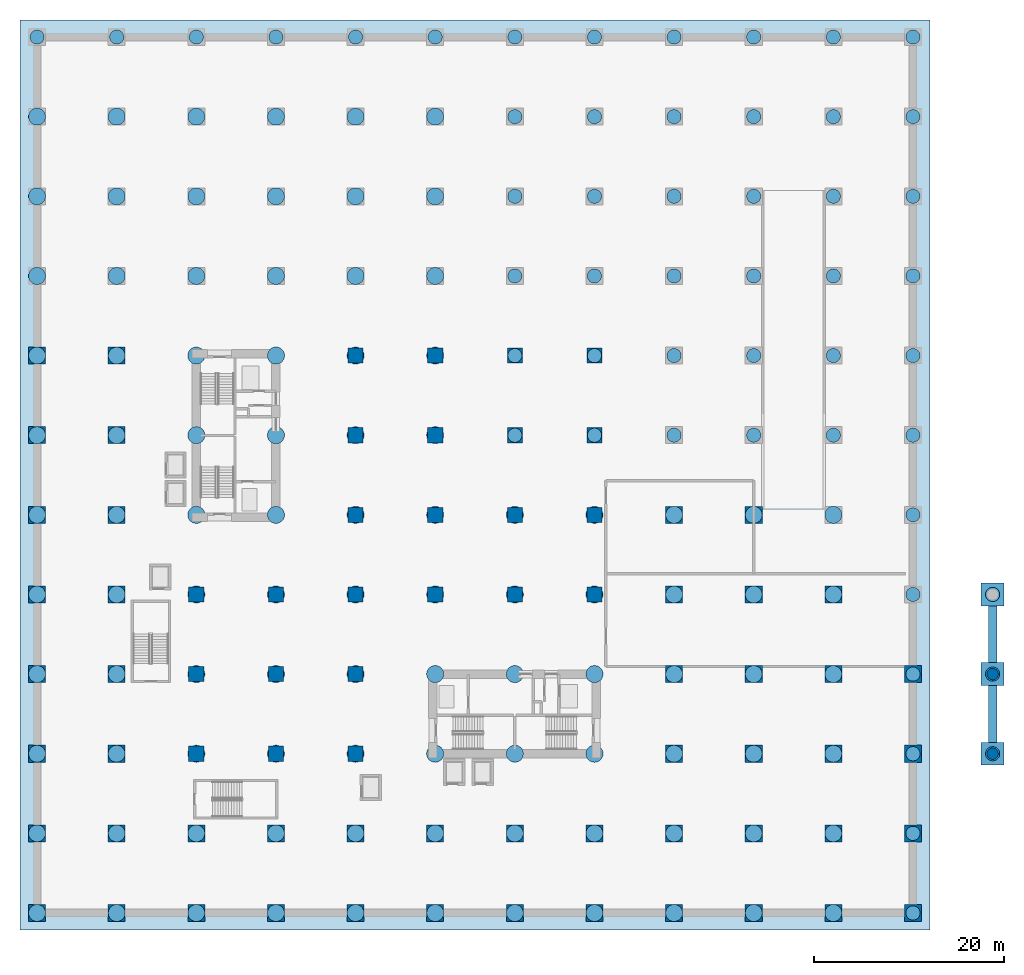
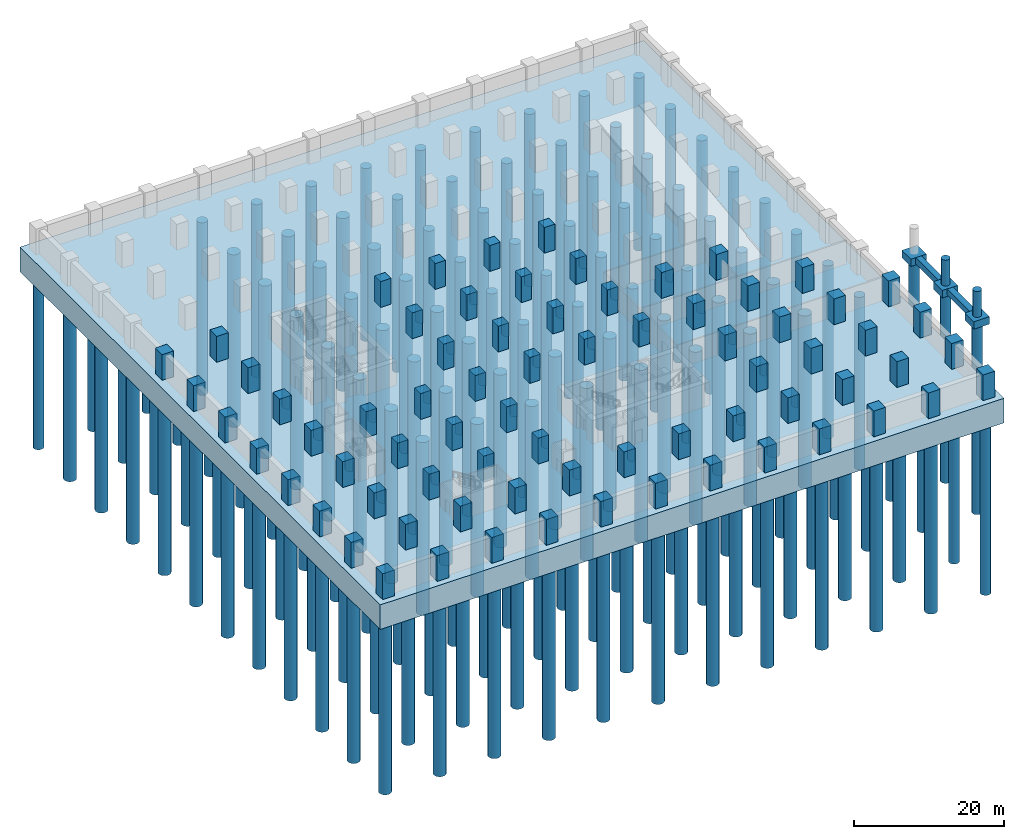
# One storey, part 1 of 12: 147 piles, 75 columns, 6 footings.
"""IFC4 building model written with IfcOpenShell, lengths in metres."""

from ifc_helpers import new_model, si_unit, direction, frame, origin, origin_2d, place, context, subcontext, project, spatial, polyline, rectangle, circle, outline, extrude, material, material_profile, profile_set, type_object, element, save


model = new_model("IFC4")

# Units and contexts
model_context = context("Model", 3, precision=1e-05, world=origin(), true_north=direction((0.0, 1.0)))
body_context = subcontext(model_context, "Body", "Model", "MODEL_VIEW")
ifc_project = project(units=[si_unit("LENGTHUNIT", "METRE"), si_unit("AREAUNIT", "SQUARE_METRE"), si_unit("VOLUMEUNIT", "CUBIC_METRE"), si_unit("PLANEANGLEUNIT", "RADIAN"), si_unit("MASSUNIT", "GRAM", prefix="KILO")], contexts=[model_context])

# Site, building, storey
site_placement = place(None, origin())
site = spatial("IfcSite", under=ifc_project, at=site_placement, CompositionType="ELEMENT")
building_placement = place(site_placement, origin())
building = spatial("IfcBuilding", under=site, at=building_placement, Name="Koriwani Terraces Tower", CompositionType="ELEMENT")
storey_placement = place(building_placement, frame((0.0, 0.0, -8.39990234375)))
storey = spatial("IfcBuildingStorey", under=building, at=storey_placement, Name="B02", CompositionType="ELEMENT", Elevation=-8.39990234375)

# Piles
ifc_material_1 = material(Name="Concrete C40/50", Category="concrete")
ifc_material_profile_1 = material_profile(ifc_material_1, circle(Radius=0.75, at=origin_2d()), Name="Concrete C40/50")
ifc_profile_set_1 = profile_set([ifc_material_profile_1], Name="Concrete C40/50")
pile_type_1 = type_object("IfcPileType", Name="BORED_PILE_D1500", PredefinedType="BORED", material=ifc_profile_set_1)
for number, where, z_axis, x_axis, name in (
    (1, (0.0, 92.39990234375, -3.900146484375), (0.0, 0.0, -1.0), (1.0, 0.0, 0.0), "Bored Pile P-012 (1/L)"),
    (2, (8.39990234375, 92.39990234375, -3.900146484375), (0.0, 0.0, -1.0), (1.0, 0.0, 0.0), "Bored Pile P-024 (2/L)"),
    (3, (16.800048828125, 92.39990234375, -3.900146484375), (0.0, 0.0, -1.0), (1.0, 0.0, 0.0), "Bored Pile P-036 (3/L)"),
    (4, (25.199951171875, 92.39990234375, -3.900146484375), (0.0, 0.0, -1.0), (1.0, 0.0, 0.0), "Bored Pile P-048 (4/L)"),
    (5, (33.60009765625, 92.39990234375, -3.900146484375), (0.0, 0.0, -1.0), (1.0, 0.0, 0.0), "Bored Pile P-060 (5/L)"),
    (6, (42.0, 92.39990234375, -3.900146484375), (0.0, 0.0, -1.0), (1.0, 0.0, 0.0), "Bored Pile P-072 (6/L)"),
    (7, (50.39990234375, 50.39990234375, -3.900146484375), (0.0, 0.0, -1.0), (1.0, 0.0, 0.0), "Bored Pile P-079 (7/G)"),
    (8, (50.39990234375, 58.800048828125, -3.900146484375), (0.0, 0.0, -1.0), (1.0, 0.0, 0.0), "Bored Pile P-080 (7/H)"),
    (9, (50.39990234375, 67.199951171875, -3.900146484375), (0.0, 0.0, -1.0), (1.0, 0.0, 0.0), "Bored Pile P-081 (7/I)"),
    (10, (50.39990234375, 75.60009765625, -3.900146484375), (0.0, 0.0, -1.0), (1.0, 0.0, 0.0), "Bored Pile P-082 (7/J)"),
    (11, (50.39990234375, 84.0, -3.900146484375), (0.0, 0.0, -1.0), (1.0, 0.0, 0.0), "Bored Pile P-083 (7/K)"),
    (12, (50.39990234375, 92.39990234375, -3.900146484375), (0.0, 0.0, -1.0), (1.0, 0.0, 0.0), "Bored Pile P-084 (7/L)"),
    (13, (58.800048828125, 50.39990234375, -3.900146484375), (0.0, 0.0, -1.0), (1.0, 0.0, 0.0), "Bored Pile P-091 (8/G)"),
    (14, (58.800048828125, 58.800048828125, -3.900146484375), (0.0, 0.0, -1.0), (1.0, 0.0, 0.0), "Bored Pile P-092 (8/H)"),
    (15, (58.800048828125, 67.199951171875, -3.900146484375), (0.0, 0.0, -1.0), (1.0, 0.0, 0.0), "Bored Pile P-093 (8/I)"),
    (16, (58.800048828125, 75.60009765625, -3.900146484375), (0.0, 0.0, -1.0), (1.0, 0.0, 0.0), "Bored Pile P-094 (8/J)"),
    (17, (58.800048828125, 84.0, -3.900146484375), (0.0, 0.0, -1.0), (1.0, 0.0, 0.0), "Bored Pile P-095 (8/K)"),
    (18, (58.800048828125, 92.39990234375, -3.900146484375), (0.0, 0.0, -1.0), (1.0, 0.0, 0.0), "Bored Pile P-096 (8/L)"),
    (19, (67.199951171875, 50.39990234375, -3.900146484375), (0.0, 0.0, -1.0), (1.0, 0.0, 0.0), "Bored Pile P-103 (9/G)"),
    (20, (67.199951171875, 58.800048828125, -3.900146484375), (0.0, 0.0, -1.0), (1.0, 0.0, 0.0), "Bored Pile P-104 (9/H)"),
    (21, (67.199951171875, 67.199951171875, -3.900146484375), (0.0, 0.0, -1.0), (1.0, 0.0, 0.0), "Bored Pile P-105 (9/I)"),
    (22, (67.199951171875, 75.60009765625, -3.900146484375), (0.0, 0.0, -1.0), (1.0, 0.0, 0.0), "Bored Pile P-106 (9/J)"),
    (23, (67.199951171875, 84.0, -3.900146484375), (0.0, 0.0, -1.0), (1.0, 0.0, 0.0), "Bored Pile P-107 (9/K)"),
    (24, (67.199951171875, 92.39990234375, -3.900146484375), (0.0, 0.0, -1.0), (1.0, 0.0, 0.0), "Bored Pile P-108 (9/L)"),
    (25, (75.60009765625, 50.39990234375, -3.900146484375), (0.0, 0.0, -1.0), (1.0, 0.0, 0.0), "Bored Pile P-115 (10/G)"),
    (26, (75.60009765625, 58.800048828125, -3.900146484375), (0.0, 0.0, -1.0), (1.0, 0.0, 0.0), "Bored Pile P-116 (10/H)"),
    (27, (75.60009765625, 67.199951171875, -3.900146484375), (0.0, 0.0, -1.0), (1.0, 0.0, 0.0), "Bored Pile P-117 (10/I)"),
    (28, (75.60009765625, 75.60009765625, -3.900146484375), (0.0, 0.0, -1.0), (1.0, 0.0, 0.0), "Bored Pile P-118 (10/J)"),
    (29, (75.60009765625, 84.0, -3.900146484375), (0.0, 0.0, -1.0), (1.0, 0.0, 0.0), "Bored Pile P-119 (10/K)"),
    (30, (75.60009765625, 92.39990234375, -3.900146484375), (0.0, 0.0, -1.0), (1.0, 0.0, 0.0), "Bored Pile P-120 (10/L)"),
    (31, (84.0, 50.39990234375, -3.900146484375), (0.0, 0.0, -1.0), (1.0, 0.0, 0.0), "Bored Pile P-127 (11/G)"),
    (32, (84.0, 58.800048828125, -3.900146484375), (0.0, 0.0, -1.0), (1.0, 0.0, 0.0), "Bored Pile P-128 (11/H)"),
    (33, (84.0, 67.199951171875, -3.900146484375), (0.0, 0.0, -1.0), (1.0, 0.0, 0.0), "Bored Pile P-129 (11/I)"),
    (34, (84.0, 75.60009765625, -3.900146484375), (0.0, 0.0, -1.0), (1.0, 0.0, 0.0), "Bored Pile P-130 (11/J)"),
    (35, (84.0, 84.0, -3.900146484375), (0.0, 0.0, -1.0), (1.0, 0.0, 0.0), "Bored Pile P-131 (11/K)"),
    (36, (84.0, 92.39990234375, -3.900146484375), (0.0, 0.0, -1.0), (1.0, 0.0, 0.0), "Bored Pile P-132 (11/L)"),
    (37, (92.39990234375, 0.0, -3.900146484375), (0.0, 0.0, -1.0), (1.0, 0.0, 0.0), "Bored Pile P-133 (12/A)"),
    (38, (92.39990234375, 8.39990234375, -3.900146484375), (0.0, 0.0, -1.0), (1.0, 0.0, 0.0), "Bored Pile P-134 (12/B)"),
    (39, (92.39990234375, 16.800048828125, -3.900146484375), (0.0, 0.0, -1.0), (1.0, 0.0, 0.0), "Bored Pile P-135 (12/C)"),
    (40, (92.39990234375, 25.199951171875, -3.900146484375), (0.0, 0.0, -1.0), (1.0, 0.0, 0.0), "Bored Pile P-136 (12/D)"),
    (41, (92.39990234375, 33.60009765625, -3.900146484375), (0.0, 0.0, -1.0), (1.0, 0.0, 0.0), "Bored Pile P-137 (12/E)"),
    (42, (92.39990234375, 42.0, -3.900146484375), (0.0, 0.0, -1.0), (1.0, 0.0, 0.0), "Bored Pile P-138 (12/F)"),
    (43, (92.39990234375, 50.39990234375, -3.900146484375), (0.0, 0.0, -1.0), (1.0, 0.0, 0.0), "Bored Pile P-139 (12/G)"),
    (44, (92.39990234375, 58.800048828125, -3.900146484375), (0.0, 0.0, -1.0), (1.0, 0.0, 0.0), "Bored Pile P-140 (12/H)"),
    (45, (92.39990234375, 67.199951171875, -3.900146484375), (0.0, 0.0, -1.0), (1.0, 0.0, 0.0), "Bored Pile P-141 (12/I)"),
    (46, (92.39990234375, 75.60009765625, -3.900146484375), (0.0, 0.0, -1.0), (1.0, 0.0, 0.0), "Bored Pile P-142 (12/J)"),
    (47, (92.39990234375, 84.0, -3.900146484375), (0.0, 0.0, -1.0), (1.0, 0.0, 0.0), "Bored Pile P-143 (12/K)"),
    (48, (92.39990234375, 92.39990234375, -3.900146484375), (0.0, 0.0, -1.0), (1.0, 0.0, 0.0), "Bored Pile P-144 (12/L)"),
):
    element("IfcPile", number, at=place(storey_placement, frame(where, z_axis=z_axis, x_axis=x_axis)), inside=storey, type_object=pile_type_1, Name=name, PredefinedType="BORED", context=body_context, shape_type="SweptSolid", body=[
        extrude(circle(Radius=0.75, at=origin_2d()), origin(), (0.0, 0.0, 1.0), 28.10009765625),
    ])
for number, where, z_axis, x_axis, name in (
    (49, (100.800048828125, 16.800048828125, -1.10009765625), (0.0, 0.0, -1.0), (1.0, 0.0, 0.0), "Porte-Cochere Bored Pile P-PC01"),
    (50, (100.800048828125, 25.199951171875, -1.10009765625), (0.0, 0.0, -1.0), (1.0, 0.0, 0.0), "Porte-Cochere Bored Pile P-PC02"),
    (51, (100.800048828125, 33.60009765625, -1.10009765625), (0.0, 0.0, -1.0), (1.0, 0.0, 0.0), "Porte-Cochere Bored Pile P-PC03"),
):
    element("IfcPile", number, at=place(storey_placement, frame(where, z_axis=z_axis, x_axis=x_axis)), inside=storey, type_object=pile_type_1, Name=name, PredefinedType="BORED", context=body_context, shape_type="SweptSolid", body=[
        extrude(circle(Radius=0.75, at=origin_2d()), origin(), (0.0, 0.0, 1.0), 30.89990234375),
    ])
ifc_material_profile_2 = material_profile(ifc_material_1, circle(Radius=0.89990234375, at=origin_2d()), Name="Concrete C40/50")
ifc_profile_set_2 = profile_set([ifc_material_profile_2], Name="Concrete C40/50")
pile_type_2 = type_object("IfcPileType", Name="BORED_PILE_D1800", PredefinedType="BORED", material=ifc_profile_set_2)
for number, where, z_axis, x_axis, name in (
    (52, (0.0, 0.0, -3.900146484375), (0.0, 0.0, -1.0), (1.0, 0.0, 0.0), "Bored Pile P-001 (1/A)"),
    (53, (0.0, 8.39990234375, -3.900146484375), (0.0, 0.0, -1.0), (1.0, 0.0, 0.0), "Bored Pile P-002 (1/B)"),
    (54, (0.0, 16.800048828125, -3.900146484375), (0.0, 0.0, -1.0), (1.0, 0.0, 0.0), "Bored Pile P-003 (1/C)"),
    (55, (0.0, 25.199951171875, -3.900146484375), (0.0, 0.0, -1.0), (1.0, 0.0, 0.0), "Bored Pile P-004 (1/D)"),
    (56, (0.0, 33.60009765625, -3.900146484375), (0.0, 0.0, -1.0), (1.0, 0.0, 0.0), "Bored Pile P-005 (1/E)"),
    (57, (0.0, 42.0, -3.900146484375), (0.0, 0.0, -1.0), (1.0, 0.0, 0.0), "Bored Pile P-006 (1/F)"),
    (58, (0.0, 50.39990234375, -3.900146484375), (0.0, 0.0, -1.0), (1.0, 0.0, 0.0), "Bored Pile P-007 (1/G)"),
    (59, (0.0, 58.800048828125, -3.900146484375), (0.0, 0.0, -1.0), (1.0, 0.0, 0.0), "Bored Pile P-008 (1/H)"),
    (60, (0.0, 67.199951171875, -3.900146484375), (0.0, 0.0, -1.0), (1.0, 0.0, 0.0), "Bored Pile P-009 (1/I)"),
    (61, (0.0, 75.60009765625, -3.900146484375), (0.0, 0.0, -1.0), (1.0, 0.0, 0.0), "Bored Pile P-010 (1/J)"),
    (62, (0.0, 84.0, -3.900146484375), (0.0, 0.0, -1.0), (1.0, 0.0, 0.0), "Bored Pile P-011 (1/K)"),
    (63, (8.39990234375, 0.0, -3.900146484375), (0.0, 0.0, -1.0), (1.0, 0.0, 0.0), "Bored Pile P-013 (2/A)"),
    (64, (8.39990234375, 8.39990234375, -3.900146484375), (0.0, 0.0, -1.0), (1.0, 0.0, 0.0), "Bored Pile P-014 (2/B)"),
    (65, (8.39990234375, 16.800048828125, -3.900146484375), (0.0, 0.0, -1.0), (1.0, 0.0, 0.0), "Bored Pile P-015 (2/C)"),
    (66, (8.39990234375, 25.199951171875, -3.900146484375), (0.0, 0.0, -1.0), (1.0, 0.0, 0.0), "Bored Pile P-016 (2/D)"),
    (67, (8.39990234375, 33.60009765625, -3.900146484375), (0.0, 0.0, -1.0), (1.0, 0.0, 0.0), "Bored Pile P-017 (2/E)"),
    (68, (8.39990234375, 42.0, -3.900146484375), (0.0, 0.0, -1.0), (1.0, 0.0, 0.0), "Bored Pile P-018 (2/F)"),
    (69, (8.39990234375, 50.39990234375, -3.900146484375), (0.0, 0.0, -1.0), (1.0, 0.0, 0.0), "Bored Pile P-019 (2/G)"),
    (70, (8.39990234375, 58.800048828125, -3.900146484375), (0.0, 0.0, -1.0), (1.0, 0.0, 0.0), "Bored Pile P-020 (2/H)"),
    (71, (8.39990234375, 67.199951171875, -3.900146484375), (0.0, 0.0, -1.0), (1.0, 0.0, 0.0), "Bored Pile P-021 (2/I)"),
    (72, (8.39990234375, 75.60009765625, -3.900146484375), (0.0, 0.0, -1.0), (1.0, 0.0, 0.0), "Bored Pile P-022 (2/J)"),
    (73, (8.39990234375, 84.0, -3.900146484375), (0.0, 0.0, -1.0), (1.0, 0.0, 0.0), "Bored Pile P-023 (2/K)"),
    (74, (16.800048828125, 0.0, -3.900146484375), (0.0, 0.0, -1.0), (1.0, 0.0, 0.0), "Bored Pile P-025 (3/A)"),
    (75, (16.800048828125, 8.39990234375, -3.900146484375), (0.0, 0.0, -1.0), (1.0, 0.0, 0.0), "Bored Pile P-026 (3/B)"),
    (76, (16.800048828125, 16.800048828125, -3.900146484375), (0.0, 0.0, -1.0), (1.0, 0.0, 0.0), "Bored Pile P-027 (3/C)"),
    (77, (16.800048828125, 25.199951171875, -3.900146484375), (0.0, 0.0, -1.0), (1.0, 0.0, 0.0), "Bored Pile P-028 (3/D)"),
    (78, (16.800048828125, 33.60009765625, -3.900146484375), (0.0, 0.0, -1.0), (1.0, 0.0, 0.0), "Bored Pile P-029 (3/E)"),
    (79, (16.800048828125, 42.0, -3.900146484375), (0.0, 0.0, -1.0), (1.0, 0.0, 0.0), "Bored Pile P-030 (3/F)"),
    (80, (16.800048828125, 50.39990234375, -3.900146484375), (0.0, 0.0, -1.0), (1.0, 0.0, 0.0), "Bored Pile P-031 (3/G)"),
    (81, (16.800048828125, 58.800048828125, -3.900146484375), (0.0, 0.0, -1.0), (1.0, 0.0, 0.0), "Bored Pile P-032 (3/H)"),
    (82, (16.800048828125, 67.199951171875, -3.900146484375), (0.0, 0.0, -1.0), (1.0, 0.0, 0.0), "Bored Pile P-033 (3/I)"),
    (83, (16.800048828125, 75.60009765625, -3.900146484375), (0.0, 0.0, -1.0), (1.0, 0.0, 0.0), "Bored Pile P-034 (3/J)"),
    (84, (16.800048828125, 84.0, -3.900146484375), (0.0, 0.0, -1.0), (1.0, 0.0, 0.0), "Bored Pile P-035 (3/K)"),
    (85, (25.199951171875, 0.0, -3.900146484375), (0.0, 0.0, -1.0), (1.0, 0.0, 0.0), "Bored Pile P-037 (4/A)"),
    (86, (25.199951171875, 8.39990234375, -3.900146484375), (0.0, 0.0, -1.0), (1.0, 0.0, 0.0), "Bored Pile P-038 (4/B)"),
    (87, (25.199951171875, 16.800048828125, -3.900146484375), (0.0, 0.0, -1.0), (1.0, 0.0, 0.0), "Bored Pile P-039 (4/C)"),
    (88, (25.199951171875, 25.199951171875, -3.900146484375), (0.0, 0.0, -1.0), (1.0, 0.0, 0.0), "Bored Pile P-040 (4/D)"),
    (89, (25.199951171875, 33.60009765625, -3.900146484375), (0.0, 0.0, -1.0), (1.0, 0.0, 0.0), "Bored Pile P-041 (4/E)"),
    (90, (25.199951171875, 42.0, -3.900146484375), (0.0, 0.0, -1.0), (1.0, 0.0, 0.0), "Bored Pile P-042 (4/F)"),
    (91, (25.199951171875, 50.39990234375, -3.900146484375), (0.0, 0.0, -1.0), (1.0, 0.0, 0.0), "Bored Pile P-043 (4/G)"),
    (92, (25.199951171875, 58.800048828125, -3.900146484375), (0.0, 0.0, -1.0), (1.0, 0.0, 0.0), "Bored Pile P-044 (4/H)"),
    (93, (25.199951171875, 67.199951171875, -3.900146484375), (0.0, 0.0, -1.0), (1.0, 0.0, 0.0), "Bored Pile P-045 (4/I)"),
    (94, (25.199951171875, 75.60009765625, -3.900146484375), (0.0, 0.0, -1.0), (1.0, 0.0, 0.0), "Bored Pile P-046 (4/J)"),
    (95, (25.199951171875, 84.0, -3.900146484375), (0.0, 0.0, -1.0), (1.0, 0.0, 0.0), "Bored Pile P-047 (4/K)"),
    (96, (33.60009765625, 0.0, -3.900146484375), (0.0, 0.0, -1.0), (1.0, 0.0, 0.0), "Bored Pile P-049 (5/A)"),
    (97, (33.60009765625, 8.39990234375, -3.900146484375), (0.0, 0.0, -1.0), (1.0, 0.0, 0.0), "Bored Pile P-050 (5/B)"),
    (98, (33.60009765625, 16.800048828125, -3.900146484375), (0.0, 0.0, -1.0), (1.0, 0.0, 0.0), "Bored Pile P-051 (5/C)"),
    (99, (33.60009765625, 25.199951171875, -3.900146484375), (0.0, 0.0, -1.0), (1.0, 0.0, 0.0), "Bored Pile P-052 (5/D)"),
    (100, (33.60009765625, 33.60009765625, -3.900146484375), (0.0, 0.0, -1.0), (1.0, 0.0, 0.0), "Bored Pile P-053 (5/E)"),
    (101, (33.60009765625, 42.0, -3.900146484375), (0.0, 0.0, -1.0), (1.0, 0.0, 0.0), "Bored Pile P-054 (5/F)"),
    (102, (33.60009765625, 50.39990234375, -3.900146484375), (0.0, 0.0, -1.0), (1.0, 0.0, 0.0), "Bored Pile P-055 (5/G)"),
    (103, (33.60009765625, 58.800048828125, -3.900146484375), (0.0, 0.0, -1.0), (1.0, 0.0, 0.0), "Bored Pile P-056 (5/H)"),
    (104, (33.60009765625, 67.199951171875, -3.900146484375), (0.0, 0.0, -1.0), (1.0, 0.0, 0.0), "Bored Pile P-057 (5/I)"),
    (105, (33.60009765625, 75.60009765625, -3.900146484375), (0.0, 0.0, -1.0), (1.0, 0.0, 0.0), "Bored Pile P-058 (5/J)"),
    (106, (33.60009765625, 84.0, -3.900146484375), (0.0, 0.0, -1.0), (1.0, 0.0, 0.0), "Bored Pile P-059 (5/K)"),
    (107, (42.0, 0.0, -3.900146484375), (0.0, 0.0, -1.0), (1.0, 0.0, 0.0), "Bored Pile P-061 (6/A)"),
    (108, (42.0, 8.39990234375, -3.900146484375), (0.0, 0.0, -1.0), (1.0, 0.0, 0.0), "Bored Pile P-062 (6/B)"),
    (109, (42.0, 16.800048828125, -3.900146484375), (0.0, 0.0, -1.0), (1.0, 0.0, 0.0), "Bored Pile P-063 (6/C)"),
    (110, (42.0, 25.199951171875, -3.900146484375), (0.0, 0.0, -1.0), (1.0, 0.0, 0.0), "Bored Pile P-064 (6/D)"),
    (111, (42.0, 33.60009765625, -3.900146484375), (0.0, 0.0, -1.0), (1.0, 0.0, 0.0), "Bored Pile P-065 (6/E)"),
    (112, (42.0, 42.0, -3.900146484375), (0.0, 0.0, -1.0), (1.0, 0.0, 0.0), "Bored Pile P-066 (6/F)"),
    (113, (42.0, 50.39990234375, -3.900146484375), (0.0, 0.0, -1.0), (1.0, 0.0, 0.0), "Bored Pile P-067 (6/G)"),
    (114, (42.0, 58.800048828125, -3.900146484375), (0.0, 0.0, -1.0), (1.0, 0.0, 0.0), "Bored Pile P-068 (6/H)"),
    (115, (42.0, 67.199951171875, -3.900146484375), (0.0, 0.0, -1.0), (1.0, 0.0, 0.0), "Bored Pile P-069 (6/I)"),
    (116, (42.0, 75.60009765625, -3.900146484375), (0.0, 0.0, -1.0), (1.0, 0.0, 0.0), "Bored Pile P-070 (6/J)"),
    (117, (42.0, 84.0, -3.900146484375), (0.0, 0.0, -1.0), (1.0, 0.0, 0.0), "Bored Pile P-071 (6/K)"),
    (118, (50.39990234375, 0.0, -3.900146484375), (0.0, 0.0, -1.0), (1.0, 0.0, 0.0), "Bored Pile P-073 (7/A)"),
    (119, (50.39990234375, 8.39990234375, -3.900146484375), (0.0, 0.0, -1.0), (1.0, 0.0, 0.0), "Bored Pile P-074 (7/B)"),
    (120, (50.39990234375, 16.800048828125, -3.900146484375), (0.0, 0.0, -1.0), (1.0, 0.0, 0.0), "Bored Pile P-075 (7/C)"),
    (121, (50.39990234375, 25.199951171875, -3.900146484375), (0.0, 0.0, -1.0), (1.0, 0.0, 0.0), "Bored Pile P-076 (7/D)"),
    (122, (50.39990234375, 33.60009765625, -3.900146484375), (0.0, 0.0, -1.0), (1.0, 0.0, 0.0), "Bored Pile P-077 (7/E)"),
    (123, (50.39990234375, 42.0, -3.900146484375), (0.0, 0.0, -1.0), (1.0, 0.0, 0.0), "Bored Pile P-078 (7/F)"),
    (124, (58.800048828125, 0.0, -3.900146484375), (0.0, 0.0, -1.0), (1.0, 0.0, 0.0), "Bored Pile P-085 (8/A)"),
    (125, (58.800048828125, 8.39990234375, -3.900146484375), (0.0, 0.0, -1.0), (1.0, 0.0, 0.0), "Bored Pile P-086 (8/B)"),
    (126, (58.800048828125, 16.800048828125, -3.900146484375), (0.0, 0.0, -1.0), (1.0, 0.0, 0.0), "Bored Pile P-087 (8/C)"),
    (127, (58.800048828125, 25.199951171875, -3.900146484375), (0.0, 0.0, -1.0), (1.0, 0.0, 0.0), "Bored Pile P-088 (8/D)"),
    (128, (58.800048828125, 33.60009765625, -3.900146484375), (0.0, 0.0, -1.0), (1.0, 0.0, 0.0), "Bored Pile P-089 (8/E)"),
    (129, (58.800048828125, 42.0, -3.900146484375), (0.0, 0.0, -1.0), (1.0, 0.0, 0.0), "Bored Pile P-090 (8/F)"),
    (130, (67.199951171875, 0.0, -3.900146484375), (0.0, 0.0, -1.0), (1.0, 0.0, 0.0), "Bored Pile P-097 (9/A)"),
    (131, (67.199951171875, 8.39990234375, -3.900146484375), (0.0, 0.0, -1.0), (1.0, 0.0, 0.0), "Bored Pile P-098 (9/B)"),
    (132, (67.199951171875, 16.800048828125, -3.900146484375), (0.0, 0.0, -1.0), (1.0, 0.0, 0.0), "Bored Pile P-099 (9/C)"),
    (133, (67.199951171875, 25.199951171875, -3.900146484375), (0.0, 0.0, -1.0), (1.0, 0.0, 0.0), "Bored Pile P-100 (9/D)"),
    (134, (67.199951171875, 33.60009765625, -3.900146484375), (0.0, 0.0, -1.0), (1.0, 0.0, 0.0), "Bored Pile P-101 (9/E)"),
    (135, (67.199951171875, 42.0, -3.900146484375), (0.0, 0.0, -1.0), (1.0, 0.0, 0.0), "Bored Pile P-102 (9/F)"),
    (136, (75.60009765625, 0.0, -3.900146484375), (0.0, 0.0, -1.0), (1.0, 0.0, 0.0), "Bored Pile P-109 (10/A)"),
    (137, (75.60009765625, 8.39990234375, -3.900146484375), (0.0, 0.0, -1.0), (1.0, 0.0, 0.0), "Bored Pile P-110 (10/B)"),
    (138, (75.60009765625, 16.800048828125, -3.900146484375), (0.0, 0.0, -1.0), (1.0, 0.0, 0.0), "Bored Pile P-111 (10/C)"),
    (139, (75.60009765625, 25.199951171875, -3.900146484375), (0.0, 0.0, -1.0), (1.0, 0.0, 0.0), "Bored Pile P-112 (10/D)"),
    (140, (75.60009765625, 33.60009765625, -3.900146484375), (0.0, 0.0, -1.0), (1.0, 0.0, 0.0), "Bored Pile P-113 (10/E)"),
    (141, (75.60009765625, 42.0, -3.900146484375), (0.0, 0.0, -1.0), (1.0, 0.0, 0.0), "Bored Pile P-114 (10/F)"),
    (142, (84.0, 0.0, -3.900146484375), (0.0, 0.0, -1.0), (1.0, 0.0, 0.0), "Bored Pile P-121 (11/A)"),
    (143, (84.0, 8.39990234375, -3.900146484375), (0.0, 0.0, -1.0), (1.0, 0.0, 0.0), "Bored Pile P-122 (11/B)"),
    (144, (84.0, 16.800048828125, -3.900146484375), (0.0, 0.0, -1.0), (1.0, 0.0, 0.0), "Bored Pile P-123 (11/C)"),
    (145, (84.0, 25.199951171875, -3.900146484375), (0.0, 0.0, -1.0), (1.0, 0.0, 0.0), "Bored Pile P-124 (11/D)"),
    (146, (84.0, 33.60009765625, -3.900146484375), (0.0, 0.0, -1.0), (1.0, 0.0, 0.0), "Bored Pile P-125 (11/E)"),
    (147, (84.0, 42.0, -3.900146484375), (0.0, 0.0, -1.0), (1.0, 0.0, 0.0), "Bored Pile P-126 (11/F)"),
):
    element("IfcPile", number, at=place(storey_placement, frame(where, z_axis=z_axis, x_axis=x_axis)), inside=storey, type_object=pile_type_2, Name=name, PredefinedType="BORED", context=body_context, shape_type="SweptSolid", body=[
        extrude(circle(Radius=0.89990234375, at=origin_2d()), origin(), (0.0, 0.0, 1.0), 28.10009765625),
    ])

# Footings
ifc_material_profile_3 = material_profile(ifc_material_1, rectangle(XDim=0.89990234375, YDim=1.0, at=origin_2d()), Name="Concrete C40/50")
ifc_profile_set_3 = profile_set([ifc_material_profile_3], Name="Concrete C40/50")
footing_type_1 = type_object("IfcFootingType", Name="GRADE_STRIP_FOOTING_900", PredefinedType="STRIP_FOOTING", material=ifc_profile_set_3)
for number, where, z_axis, x_axis, name in (
    (148, (100.800048828125, 18.0, -0.5), (0.0, 1.0, 0.0), (-1.0, 0.0, 0.0), "Porte-Cochere Tie Strip Footing GF-01"),
    (149, (100.800048828125, 26.39990234375, -0.5), (0.0, 1.0, 0.0), (-1.0, 0.0, 0.0), "Porte-Cochere Tie Strip Footing GF-02"),
):
    element("IfcFooting", number, at=place(storey_placement, frame(where, z_axis=z_axis, x_axis=x_axis)), inside=storey, type_object=footing_type_1, Name=name, PredefinedType="STRIP_FOOTING", context=body_context, shape_type="SweptSolid", body=[
        extrude(rectangle(XDim=0.89990234375, YDim=1.0, at=origin_2d()), origin(), (0.0, 0.0, 1.0), 6.0),
    ])
footing_type_2 = type_object("IfcFootingType", Name="PAD_FOOTING_PLAZA_2400", PredefinedType="PAD_FOOTING", material=ifc_material_1)
footing_1_placement = place(storey_placement, frame((0.0, 0.0, -1.2001953125)))
element("IfcFooting", 150, at=footing_1_placement, inside=storey, type_object=footing_type_2, Name="Porte-Cochere Pad Footing PF-01", PredefinedType="PAD_FOOTING", context=body_context, shape_type="SweptSolid", body=[
    extrude(outline(polyline([(99.60009765625, 15.60009765625), (102.0, 15.60009765625), (102.0, 18.0), (99.60009765625, 18.0), (99.60009765625, 15.60009765625)])), origin(), (0.0, 0.0, 1.0), 1.2001953125),
])
footing_2_placement = place(storey_placement, frame((0.0, 0.0, -1.2001953125)))
element("IfcFooting", 151, at=footing_2_placement, inside=storey, type_object=footing_type_2, Name="Porte-Cochere Pad Footing PF-02", PredefinedType="PAD_FOOTING", context=body_context, shape_type="SweptSolid", body=[
    extrude(outline(polyline([(99.60009765625, 24.0), (102.0, 24.0), (102.0, 26.39990234375), (99.60009765625, 26.39990234375), (99.60009765625, 24.0)])), origin(), (0.0, 0.0, 1.0), 1.2001953125),
])
footing_3_placement = place(storey_placement, frame((0.0, 0.0, -1.2001953125)))
element("IfcFooting", 152, at=footing_3_placement, inside=storey, type_object=footing_type_2, Name="Porte-Cochere Pad Footing PF-03", PredefinedType="PAD_FOOTING", context=body_context, shape_type="SweptSolid", body=[
    extrude(outline(polyline([(99.60009765625, 32.39990234375), (102.0, 32.39990234375), (102.0, 34.800048828125), (99.60009765625, 34.800048828125), (99.60009765625, 32.39990234375)])), origin(), (0.0, 0.0, 1.0), 1.2001953125),
])
ifc_material_2 = material(Name="Concrete C50/60", Category="concrete")
footing_type_3 = type_object("IfcFootingType", Name="RAFT_FOUNDATION_4000", PredefinedType="CAISSON_FOUNDATION", material=ifc_material_2)
footing_4_placement = place(storey_placement, frame((0.0, 0.0, -4.0)))
element("IfcFooting", 153, at=footing_4_placement, inside=storey, type_object=footing_type_3, Name="Unified Piled-Raft Foundation Mat RF-01", PredefinedType="CAISSON_FOUNDATION", context=body_context, shape_type="SweptSolid", body=[
    extrude(outline(polyline([(-1.800048828125, -1.800048828125), (94.199951171875, -1.800048828125), (94.199951171875, 94.199951171875), (-1.800048828125, 94.199951171875), (-1.800048828125, -1.800048828125)])), origin(), (0.0, 0.0, 1.0), 4.0),
])

# Columns
ifc_material_profile_4 = material_profile(ifc_material_2, circle(Radius=0.60009765625, at=origin_2d()), Name="Concrete C50/60", Category="LoadBearing")
ifc_profile_set_4 = profile_set([ifc_material_profile_4], Name="Concrete C50/60")
column_type_1 = type_object("IfcColumnType", Name="COL_RC_1200_RND", PredefinedType="COLUMN", material=ifc_profile_set_4)
for number, where, z_axis, x_axis, name in (
    (154, (100.800048828125, 16.800048828125, 0.0), (0.0, 0.0, 1.0), (1.0, 0.0, 0.0), "B02 Porte-Cochere Column PC-1"),
    (155, (100.800048828125, 25.199951171875, 0.0), (0.0, 0.0, 1.0), (1.0, 0.0, 0.0), "B02 Porte-Cochere Column PC-2"),
):
    element("IfcColumn", number, at=place(storey_placement, frame(where, z_axis=z_axis, x_axis=x_axis)), inside=storey, type_object=column_type_1, Name=name, PredefinedType="COLUMN", context=body_context, shape_type="SweptSolid", body=[
        extrude(circle(Radius=0.60009765625, at=origin_2d()), origin(), (0.0, 0.0, 1.0), 4.199951171875),
    ])
ifc_material_3 = material(Name="Concrete C60/75", Category="concrete")
ifc_material_profile_5 = material_profile(ifc_material_3, rectangle(XDim=1.60009765625, YDim=1.60009765625, at=origin_2d()), Name="Concrete C60/75", Category="LoadBearing")
ifc_profile_set_5 = profile_set([ifc_material_profile_5], Name="Concrete C60/75")
column_type_2 = type_object("IfcColumnType", Name="COL_RC_1600X1600", PredefinedType="COLUMN", material=ifc_profile_set_5)
for number, where, z_axis, x_axis, name in (
    (156, (16.800048828125, 16.800048828125, 0.0), (0.0, 0.0, 1.0), (1.0, 0.0, 0.0), "B02 Column 3/C"),
    (157, (16.800048828125, 25.199951171875, 0.0), (0.0, 0.0, 1.0), (1.0, 0.0, 0.0), "B02 Column 3/D"),
    (158, (16.800048828125, 33.60009765625, 0.0), (0.0, 0.0, 1.0), (1.0, 0.0, 0.0), "B02 Column 3/E"),
    (159, (25.199951171875, 16.800048828125, 0.0), (0.0, 0.0, 1.0), (1.0, 0.0, 0.0), "B02 Column 4/C"),
    (160, (25.199951171875, 25.199951171875, 0.0), (0.0, 0.0, 1.0), (1.0, 0.0, 0.0), "B02 Column 4/D"),
    (161, (25.199951171875, 33.60009765625, 0.0), (0.0, 0.0, 1.0), (1.0, 0.0, 0.0), "B02 Column 4/E"),
    (162, (33.60009765625, 16.800048828125, 0.0), (0.0, 0.0, 1.0), (1.0, 0.0, 0.0), "B02 Column 5/C"),
    (163, (33.60009765625, 25.199951171875, 0.0), (0.0, 0.0, 1.0), (1.0, 0.0, 0.0), "B02 Column 5/D"),
    (164, (33.60009765625, 33.60009765625, 0.0), (0.0, 0.0, 1.0), (1.0, 0.0, 0.0), "B02 Column 5/E"),
    (165, (33.60009765625, 42.0, 0.0), (0.0, 0.0, 1.0), (1.0, 0.0, 0.0), "B02 Column 5/F"),
    (166, (33.60009765625, 50.39990234375, 0.0), (0.0, 0.0, 1.0), (1.0, 0.0, 0.0), "B02 Column 5/G"),
    (167, (33.60009765625, 58.800048828125, 0.0), (0.0, 0.0, 1.0), (1.0, 0.0, 0.0), "B02 Column 5/H"),
    (168, (42.0, 33.60009765625, 0.0), (0.0, 0.0, 1.0), (1.0, 0.0, 0.0), "B02 Column 6/E"),
    (169, (42.0, 42.0, 0.0), (0.0, 0.0, 1.0), (1.0, 0.0, 0.0), "B02 Column 6/F"),
    (170, (42.0, 50.39990234375, 0.0), (0.0, 0.0, 1.0), (1.0, 0.0, 0.0), "B02 Column 6/G"),
    (171, (42.0, 58.800048828125, 0.0), (0.0, 0.0, 1.0), (1.0, 0.0, 0.0), "B02 Column 6/H"),
    (172, (50.39990234375, 33.60009765625, 0.0), (0.0, 0.0, 1.0), (1.0, 0.0, 0.0), "B02 Column 7/E"),
    (173, (50.39990234375, 42.0, 0.0), (0.0, 0.0, 1.0), (1.0, 0.0, 0.0), "B02 Column 7/F"),
    (174, (50.39990234375, 50.39990234375, 0.0), (0.0, 0.0, 1.0), (1.0, 0.0, 0.0), "B02 Column 7/G"),
    (175, (50.39990234375, 58.800048828125, 0.0), (0.0, 0.0, 1.0), (1.0, 0.0, 0.0), "B02 Column 7/H"),
    (176, (58.800048828125, 33.60009765625, 0.0), (0.0, 0.0, 1.0), (1.0, 0.0, 0.0), "B02 Column 8/E"),
    (177, (58.800048828125, 42.0, 0.0), (0.0, 0.0, 1.0), (1.0, 0.0, 0.0), "B02 Column 8/F"),
    (178, (58.800048828125, 50.39990234375, 0.0), (0.0, 0.0, 1.0), (1.0, 0.0, 0.0), "B02 Column 8/G"),
    (179, (58.800048828125, 58.800048828125, 0.0), (0.0, 0.0, 1.0), (1.0, 0.0, 0.0), "B02 Column 8/H"),
):
    element("IfcColumn", number, at=place(storey_placement, frame(where, z_axis=z_axis, x_axis=x_axis)), inside=storey, type_object=column_type_2, Name=name, PredefinedType="COLUMN", context=body_context, shape_type="SweptSolid", body=[
        extrude(rectangle(XDim=1.60009765625, YDim=1.60009765625, at=origin_2d()), origin(), (0.0, 0.0, 1.0), 4.199951171875),
    ])
ifc_material_profile_6 = material_profile(ifc_material_3, rectangle(XDim=1.800048828125, YDim=1.800048828125, at=origin_2d()), Name="Concrete C60/75", Category="LoadBearing")
ifc_profile_set_6 = profile_set([ifc_material_profile_6], Name="Concrete C60/75")
column_type_3 = type_object("IfcColumnType", Name="COL_RC_1800X1800", PredefinedType="COLUMN", material=ifc_profile_set_6)
for number, where, z_axis, x_axis, name in (
    (180, (0.0, 0.0, 0.0), (0.0, 0.0, 1.0), (1.0, 0.0, 0.0), "B02 Column 1/A"),
    (181, (0.0, 8.39990234375, 0.0), (0.0, 0.0, 1.0), (1.0, 0.0, 0.0), "B02 Column 1/B"),
    (182, (0.0, 16.800048828125, 0.0), (0.0, 0.0, 1.0), (1.0, 0.0, 0.0), "B02 Column 1/C"),
    (183, (0.0, 25.199951171875, 0.0), (0.0, 0.0, 1.0), (1.0, 0.0, 0.0), "B02 Column 1/D"),
    (184, (0.0, 33.60009765625, 0.0), (0.0, 0.0, 1.0), (1.0, 0.0, 0.0), "B02 Column 1/E"),
    (185, (0.0, 42.0, 0.0), (0.0, 0.0, 1.0), (1.0, 0.0, 0.0), "B02 Column 1/F"),
    (186, (0.0, 50.39990234375, 0.0), (0.0, 0.0, 1.0), (1.0, 0.0, 0.0), "B02 Column 1/G"),
    (187, (0.0, 58.800048828125, 0.0), (0.0, 0.0, 1.0), (1.0, 0.0, 0.0), "B02 Column 1/H"),
    (188, (8.39990234375, 0.0, 0.0), (0.0, 0.0, 1.0), (1.0, 0.0, 0.0), "B02 Column 2/A"),
    (189, (8.39990234375, 8.39990234375, 0.0), (0.0, 0.0, 1.0), (1.0, 0.0, 0.0), "B02 Column 2/B"),
    (190, (8.39990234375, 16.800048828125, 0.0), (0.0, 0.0, 1.0), (1.0, 0.0, 0.0), "B02 Column 2/C"),
    (191, (8.39990234375, 25.199951171875, 0.0), (0.0, 0.0, 1.0), (1.0, 0.0, 0.0), "B02 Column 2/D"),
    (192, (8.39990234375, 33.60009765625, 0.0), (0.0, 0.0, 1.0), (1.0, 0.0, 0.0), "B02 Column 2/E"),
    (193, (8.39990234375, 42.0, 0.0), (0.0, 0.0, 1.0), (1.0, 0.0, 0.0), "B02 Column 2/F"),
    (194, (8.39990234375, 50.39990234375, 0.0), (0.0, 0.0, 1.0), (1.0, 0.0, 0.0), "B02 Column 2/G"),
    (195, (8.39990234375, 58.800048828125, 0.0), (0.0, 0.0, 1.0), (1.0, 0.0, 0.0), "B02 Column 2/H"),
    (196, (16.800048828125, 0.0, 0.0), (0.0, 0.0, 1.0), (1.0, 0.0, 0.0), "B02 Column 3/A"),
    (197, (16.800048828125, 8.39990234375, 0.0), (0.0, 0.0, 1.0), (1.0, 0.0, 0.0), "B02 Column 3/B"),
    (198, (25.199951171875, 0.0, 0.0), (0.0, 0.0, 1.0), (1.0, 0.0, 0.0), "B02 Column 4/A"),
    (199, (25.199951171875, 8.39990234375, 0.0), (0.0, 0.0, 1.0), (1.0, 0.0, 0.0), "B02 Column 4/B"),
    (200, (33.60009765625, 0.0, 0.0), (0.0, 0.0, 1.0), (1.0, 0.0, 0.0), "B02 Column 5/A"),
    (201, (33.60009765625, 8.39990234375, 0.0), (0.0, 0.0, 1.0), (1.0, 0.0, 0.0), "B02 Column 5/B"),
    (202, (42.0, 0.0, 0.0), (0.0, 0.0, 1.0), (1.0, 0.0, 0.0), "B02 Column 6/A"),
    (203, (42.0, 8.39990234375, 0.0), (0.0, 0.0, 1.0), (1.0, 0.0, 0.0), "B02 Column 6/B"),
    (204, (50.39990234375, 0.0, 0.0), (0.0, 0.0, 1.0), (1.0, 0.0, 0.0), "B02 Column 7/A"),
    (205, (50.39990234375, 8.39990234375, 0.0), (0.0, 0.0, 1.0), (1.0, 0.0, 0.0), "B02 Column 7/B"),
    (206, (58.800048828125, 0.0, 0.0), (0.0, 0.0, 1.0), (1.0, 0.0, 0.0), "B02 Column 8/A"),
    (207, (58.800048828125, 8.39990234375, 0.0), (0.0, 0.0, 1.0), (1.0, 0.0, 0.0), "B02 Column 8/B"),
    (208, (67.199951171875, 0.0, 0.0), (0.0, 0.0, 1.0), (1.0, 0.0, 0.0), "B02 Column 9/A"),
    (209, (67.199951171875, 8.39990234375, 0.0), (0.0, 0.0, 1.0), (1.0, 0.0, 0.0), "B02 Column 9/B"),
    (210, (67.199951171875, 16.800048828125, 0.0), (0.0, 0.0, 1.0), (1.0, 0.0, 0.0), "B02 Column 9/C"),
    (211, (67.199951171875, 25.199951171875, 0.0), (0.0, 0.0, 1.0), (1.0, 0.0, 0.0), "B02 Column 9/D"),
    (212, (67.199951171875, 33.60009765625, 0.0), (0.0, 0.0, 1.0), (1.0, 0.0, 0.0), "B02 Column 9/E"),
    (213, (67.199951171875, 42.0, 0.0), (0.0, 0.0, 1.0), (1.0, 0.0, 0.0), "B02 Column 9/F"),
    (214, (75.60009765625, 0.0, 0.0), (0.0, 0.0, 1.0), (1.0, 0.0, 0.0), "B02 Column 10/A"),
    (215, (75.60009765625, 8.39990234375, 0.0), (0.0, 0.0, 1.0), (1.0, 0.0, 0.0), "B02 Column 10/B"),
    (216, (75.60009765625, 16.800048828125, 0.0), (0.0, 0.0, 1.0), (1.0, 0.0, 0.0), "B02 Column 10/C"),
    (217, (75.60009765625, 25.199951171875, 0.0), (0.0, 0.0, 1.0), (1.0, 0.0, 0.0), "B02 Column 10/D"),
    (218, (75.60009765625, 33.60009765625, 0.0), (0.0, 0.0, 1.0), (1.0, 0.0, 0.0), "B02 Column 10/E"),
    (219, (75.60009765625, 42.0, 0.0), (0.0, 0.0, 1.0), (1.0, 0.0, 0.0), "B02 Column 10/F"),
    (220, (84.0, 0.0, 0.0), (0.0, 0.0, 1.0), (1.0, 0.0, 0.0), "B02 Column 11/A"),
    (221, (84.0, 8.39990234375, 0.0), (0.0, 0.0, 1.0), (1.0, 0.0, 0.0), "B02 Column 11/B"),
    (222, (84.0, 16.800048828125, 0.0), (0.0, 0.0, 1.0), (1.0, 0.0, 0.0), "B02 Column 11/C"),
    (223, (84.0, 25.199951171875, 0.0), (0.0, 0.0, 1.0), (1.0, 0.0, 0.0), "B02 Column 11/D"),
    (224, (84.0, 33.60009765625, 0.0), (0.0, 0.0, 1.0), (1.0, 0.0, 0.0), "B02 Column 11/E"),
    (225, (92.39990234375, 0.0, 0.0), (0.0, 0.0, 1.0), (1.0, 0.0, 0.0), "B02 Column 12/A"),
    (226, (92.39990234375, 8.39990234375, 0.0), (0.0, 0.0, 1.0), (1.0, 0.0, 0.0), "B02 Column 12/B"),
    (227, (92.39990234375, 16.800048828125, 0.0), (0.0, 0.0, 1.0), (1.0, 0.0, 0.0), "B02 Column 12/C"),
    (228, (92.39990234375, 25.199951171875, 0.0), (0.0, 0.0, 1.0), (1.0, 0.0, 0.0), "B02 Column 12/D"),
):
    element("IfcColumn", number, at=place(storey_placement, frame(where, z_axis=z_axis, x_axis=x_axis)), inside=storey, type_object=column_type_3, Name=name, PredefinedType="COLUMN", context=body_context, shape_type="SweptSolid", body=[
        extrude(rectangle(XDim=1.800048828125, YDim=1.800048828125, at=origin_2d()), origin(), (0.0, 0.0, 1.0), 4.199951171875),
    ])

save(model, "model.ifc")
